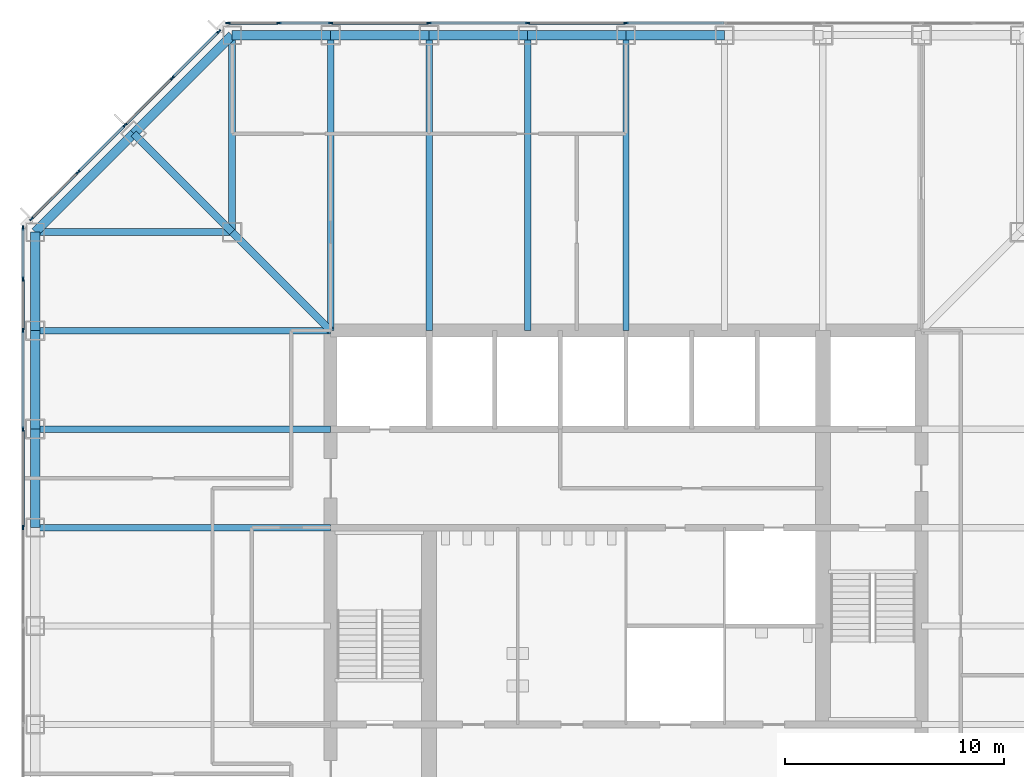
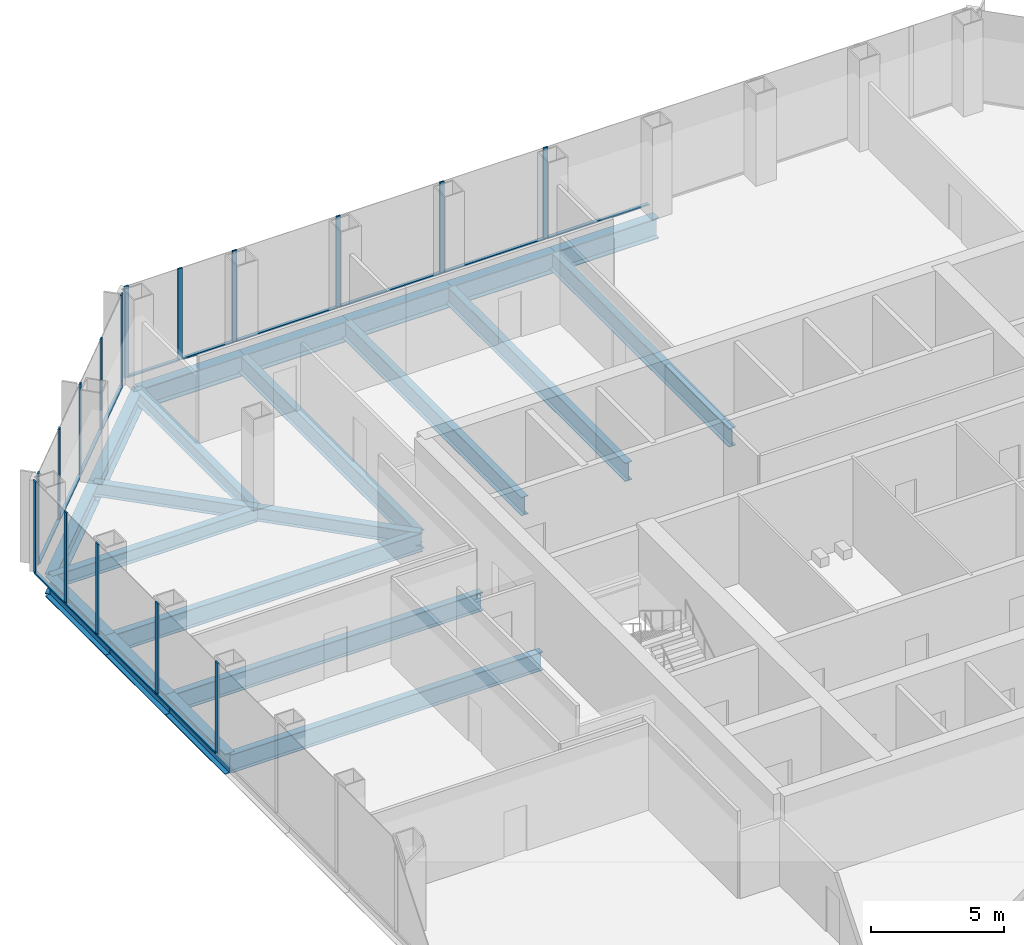
# One storey, part 5 of 12: 30 members, 21 beams, 3 elements without a shape of their own.
"""IFC4 building model written with IfcOpenShell, lengths in metres."""

from ifc_helpers import new_model, si_unit, direction, frame, origin, origin_2d, place, context, subcontext, project, spatial, rectangle, i_section, extrude, material, material_profile, profile_set, type_object, element, aggregate, save


model = new_model("IFC4")

# Units and contexts
model_context = context("Model", 3, precision=1e-05, world=origin(), true_north=direction((0.0, 1.0)))
body_context = subcontext(model_context, "Body", "Model", "MODEL_VIEW")
ifc_project = project(units=[si_unit("LENGTHUNIT", "METRE"), si_unit("AREAUNIT", "SQUARE_METRE"), si_unit("VOLUMEUNIT", "CUBIC_METRE"), si_unit("PLANEANGLEUNIT", "RADIAN"), si_unit("MASSUNIT", "GRAM", prefix="KILO")], contexts=[model_context])

# Site, building, storey
site_placement = place(None, origin())
site = spatial("IfcSite", under=ifc_project, at=site_placement, CompositionType="ELEMENT")
building_placement = place(site_placement, origin())
building = spatial("IfcBuilding", under=site, at=building_placement, Name="Corais Broadcast Tower", CompositionType="ELEMENT")
storey_placement = place(building_placement, frame((0.0, 0.0, 100.39990234375)))
storey = spatial("IfcBuildingStorey", under=building, at=storey_placement, Name="L22", CompositionType="ELEMENT", Elevation=100.39990234375)

# Beams
ifc_material_1 = material(Name="Steel ASTM A572 Grade 50", Category="steel")
ifc_material_profile_1 = material_profile(ifc_material_1, i_section(OverallWidth=0.323974609375, OverallDepth=0.611083984375, WebThickness=0.0126953125, FlangeThickness=0.01904296875, at=origin_2d()), Name="W610x155")
ifc_profile_set_1 = profile_set([ifc_material_profile_1], Name="Steel ASTM A572 Grade 50")
beam_type_1 = type_object("IfcBeamType", Name="Chamfer tie W610x155", PredefinedType="BEAM", material=ifc_profile_set_1)
beam_1_placement = place(storey_placement, frame((4.5, 49.5, -0.46533203125), z_axis=(0.707106781187, -0.707106781187, 0.0), x_axis=(0.707106781187, 0.707106781187, 0.0)))
element("IfcBeam", 1, at=beam_1_placement, inside=storey, type_object=beam_type_1, Name="B5 M/4 to L/5", PredefinedType="BEAM", context=body_context, shape_type="SweptSolid", body=[
    extrude(i_section(OverallWidth=0.323974609375, OverallDepth=0.611083984375, WebThickness=0.0126953125, FlangeThickness=0.01904296875, at=origin_2d()), origin(), (0.0, 0.0, 1.0), 6.364013671875),
])
ifc_material_2 = material(Name="Steel ASTM A572 Grade 50", Category="steel")
ifc_material_profile_2 = material_profile(ifc_material_2, i_section(OverallWidth=0.323974609375, OverallDepth=0.611083984375, WebThickness=0.0126953125, FlangeThickness=0.01904296875, at=origin_2d()), Name="W610x155")
ifc_profile_set_2 = profile_set([ifc_material_profile_2], Name="Steel ASTM A572 Grade 50")
beam_type_2 = type_object("IfcBeamType", Name="Corner diagonal W610x155", PredefinedType="BEAM", material=ifc_profile_set_2)
beam_2_placement = place(storey_placement, frame((9.0, 45.0, -0.46533203125), z_axis=(0.707106781187, -0.707106781187, 0.0), x_axis=(0.707106781187, 0.707106781187, 0.0)))
element("IfcBeam", 2, at=beam_2_placement, inside=storey, type_object=beam_type_2, Name="B6 L/5 to K/6", PredefinedType="BEAM", context=body_context, shape_type="SweptSolid", body=[
    extrude(i_section(OverallWidth=0.323974609375, OverallDepth=0.611083984375, WebThickness=0.0126953125, FlangeThickness=0.01904296875, at=origin_2d()), origin(), (0.0, 0.0, 1.0), 6.364013671875),
])
ifc_material_3 = material(Name="Steel ASTM A572 Grade 50", Category="steel")
ifc_material_profile_3 = material_profile(ifc_material_3, i_section(OverallWidth=0.323974609375, OverallDepth=0.611083984375, WebThickness=0.0126953125, FlangeThickness=0.01904296875, at=origin_2d()), Name="W610x155")
ifc_profile_set_3 = profile_set([ifc_material_profile_3], Name="Steel ASTM A572 Grade 50")
beam_type_3 = type_object("IfcBeamType", Name="Corner girder W610x155", PredefinedType="BEAM", material=ifc_profile_set_3)
for number, where, z_axis, x_axis, name in (
    (3, (0.0, 45.0, -0.46533203125), (1.0, 0.0, 0.0), (0.0, 1.0, 0.0), "B4 L/3 to L/5"),
    (4, (9.0, 54.0, -0.46533203125), (0.0, -1.0, 0.0), (1.0, 0.0, 0.0), "B4 N/5 to L/5"),
):
    element("IfcBeam", number, at=place(storey_placement, frame(where, z_axis=z_axis, x_axis=x_axis)), inside=storey, type_object=beam_type_3, Name=name, PredefinedType="BEAM", context=body_context, shape_type="SweptSolid", body=[
        extrude(i_section(OverallWidth=0.323974609375, OverallDepth=0.611083984375, WebThickness=0.0126953125, FlangeThickness=0.01904296875, at=origin_2d()), origin(), (0.0, 0.0, 1.0), 9.0),
    ])
ifc_material_4 = material(Name="Steel ASTM A572 Grade 50", Category="steel")
ifc_material_profile_4 = material_profile(ifc_material_4, i_section(OverallWidth=0.2939453125, OverallDepth=0.85107421875, WebThickness=0.01611328125, FlangeThickness=0.02685546875, at=origin_2d()), Name="W840x226")
ifc_profile_set_4 = profile_set([ifc_material_profile_4], Name="Steel ASTM A572 Grade 50")
beam_type_4 = type_object("IfcBeamType", Name="Floor beam W840x226", PredefinedType="BEAM", material=ifc_profile_set_4)
for number, where, z_axis, x_axis, name in (
    (5, (0.0, 31.5, -0.58544921875), (1.0, 0.0, 0.0), (0.0, 1.0, 0.0), "B1 H/3 to H/6"),
    (6, (0.0, 36.0, -0.58544921875), (1.0, 0.0, 0.0), (0.0, 1.0, 0.0), "B1 J/3 to J/6"),
    (7, (0.0, 40.5, -0.58544921875), (1.0, 0.0, 0.0), (0.0, 1.0, 0.0), "B1 K/3 to K/6"),
    (8, (13.5, 54.0, -0.58544921875), (0.0, -1.0, 0.0), (1.0, 0.0, 0.0), "B1 N/6 to K/6"),
    (9, (18.0, 54.0, -0.58544921875), (0.0, -1.0, 0.0), (1.0, 0.0, 0.0), "B1 N/7 to K/7"),
    (10, (22.5, 54.0, -0.58544921875), (0.0, -1.0, 0.0), (1.0, 0.0, 0.0), "B1 N/8 to K/8"),
    (11, (27.0, 54.0, -0.58544921875), (0.0, -1.0, 0.0), (1.0, 0.0, 0.0), "B1 N/9 to K/9"),
):
    element("IfcBeam", number, at=place(storey_placement, frame(where, z_axis=z_axis, x_axis=x_axis)), inside=storey, type_object=beam_type_4, Name=name, PredefinedType="BEAM", context=body_context, shape_type="SweptSolid", body=[
        extrude(i_section(OverallWidth=0.2939453125, OverallDepth=0.85107421875, WebThickness=0.01611328125, FlangeThickness=0.02685546875, at=origin_2d()), origin(), (0.0, 0.0, 1.0), 13.5),
    ])

# Curtain wall, members
ifc_material_5 = material(Name="Aluminium and glass", Category="aluminium")
curtain_wall_type = type_object("IfcCurtainWallType", Name="Unitised fritted curtain wall CW1", PredefinedType="NOTDEFINED", material=ifc_material_5)
curtain_wall_1_placement = place(storey_placement, origin())
curtain_wall_1 = element("IfcCurtainWall", 12, at=curtain_wall_1_placement, inside=storey, type_object=curtain_wall_type, Name="CW1 curtain wall L22 2", PredefinedType="NOTDEFINED")
ifc_material_6 = material(Name="Aluminium 6063-T6", Category="aluminium")
ifc_material_profile_5 = material_profile(ifc_material_6, rectangle(XDim=0.06494140625, YDim=0.199951171875, at=origin_2d()), Name="Mullion CW1 65x200")
ifc_profile_set_5 = profile_set([ifc_material_profile_5], Name="Aluminium 6063-T6")
member_type_1 = type_object("IfcMemberType", Name="Mullion CW1 65x200", PredefinedType="MULLION", material=ifc_profile_set_5)
member_1_placement = place(storey_placement, frame((-0.550048828125, 31.5, 0.0), z_axis=(0.0, 0.0, 1.0), x_axis=(-1.0, 0.0, 0.0)))
member_1 = element("IfcMember", 13, at=member_1_placement, type_object=member_type_1, Name="CW1 mullion 7", PredefinedType="MULLION", context=body_context, shape_type="SweptSolid", body=[
    extrude(rectangle(XDim=0.06494140625, YDim=0.199951171875, at=origin_2d()), origin(), (0.0, 0.0, 1.0), 4.2001953125),
])
member_2_placement = place(storey_placement, frame((-0.550048828125, 36.0, 0.0), z_axis=(0.0, 0.0, 1.0), x_axis=(-1.0, 0.0, 0.0)))
member_2 = element("IfcMember", 14, at=member_2_placement, type_object=member_type_1, Name="CW1 mullion 8", PredefinedType="MULLION", context=body_context, shape_type="SweptSolid", body=[
    extrude(rectangle(XDim=0.06494140625, YDim=0.199951171875, at=origin_2d()), origin(), (0.0, 0.0, 1.0), 4.2001953125),
])
member_3_placement = place(storey_placement, frame((-0.550048828125, 40.5, 0.0), z_axis=(0.0, 0.0, 1.0), x_axis=(-1.0, 0.0, 0.0)))
member_3 = element("IfcMember", 15, at=member_3_placement, type_object=member_type_1, Name="CW1 mullion 9", PredefinedType="MULLION", context=body_context, shape_type="SweptSolid", body=[
    extrude(rectangle(XDim=0.06494140625, YDim=0.199951171875, at=origin_2d()), origin(), (0.0, 0.0, 1.0), 4.2001953125),
])
member_4_placement = place(storey_placement, frame((-0.550048828125, 42.864013671875, 0.0), z_axis=(0.0, 0.0, 1.0), x_axis=(-1.0, 0.0, 0.0)))
member_4 = element("IfcMember", 16, at=member_4_placement, type_object=member_type_1, Name="CW1 mullion 10", PredefinedType="MULLION", context=body_context, shape_type="SweptSolid", body=[
    extrude(rectangle(XDim=0.06494140625, YDim=0.199951171875, at=origin_2d()), origin(), (0.0, 0.0, 1.0), 4.2001953125),
])
member_5_placement = place(storey_placement, frame((-0.550048828125, 45.1953125, 0.0), z_axis=(0.0, 0.0, 1.0), x_axis=(-1.0, 0.0, 0.0)))
member_5 = element("IfcMember", 17, at=member_5_placement, type_object=member_type_1, Name="CW1 mullion 11", PredefinedType="MULLION", context=body_context, shape_type="SweptSolid", body=[
    extrude(rectangle(XDim=0.06494140625, YDim=0.199951171875, at=origin_2d()), origin(), (0.0, 0.0, 1.0), 4.2001953125),
])

curtain_wall_2_placement = place(storey_placement, origin())
curtain_wall_2 = element("IfcCurtainWall", 18, at=curtain_wall_2_placement, inside=storey, type_object=curtain_wall_type, Name="CW1 curtain wall L22 3", PredefinedType="NOTDEFINED")
member_6_placement = place(storey_placement, frame((-0.17333984375, 45.6044921875, 0.0), z_axis=(0.0, 0.0, 1.0), x_axis=(-0.707106781187, 0.707106781187, 0.0)))
member_6 = element("IfcMember", 19, at=member_6_placement, type_object=member_type_1, Name="CW1 mullion 1", PredefinedType="MULLION", context=body_context, shape_type="SweptSolid", body=[
    extrude(rectangle(XDim=0.06494140625, YDim=0.199951171875, at=origin_2d()), origin(), (0.0, 0.0, 1.0), 4.2001953125),
])
member_7_placement = place(storey_placement, frame((1.957275390625, 47.735107421875, 0.0), z_axis=(0.0, 0.0, 1.0), x_axis=(-0.707106781187, 0.707106781187, 0.0)))
member_7 = element("IfcMember", 20, at=member_7_placement, type_object=member_type_1, Name="CW1 mullion 2", PredefinedType="MULLION", context=body_context, shape_type="SweptSolid", body=[
    extrude(rectangle(XDim=0.06494140625, YDim=0.199951171875, at=origin_2d()), origin(), (0.0, 0.0, 1.0), 4.2001953125),
])
member_8_placement = place(storey_placement, frame((4.111083984375, 49.888916015625, 0.0), z_axis=(0.0, 0.0, 1.0), x_axis=(-0.707106781187, 0.707106781187, 0.0)))
member_8 = element("IfcMember", 21, at=member_8_placement, type_object=member_type_1, Name="CW1 mullion 3", PredefinedType="MULLION", context=body_context, shape_type="SweptSolid", body=[
    extrude(rectangle(XDim=0.06494140625, YDim=0.199951171875, at=origin_2d()), origin(), (0.0, 0.0, 1.0), 4.2001953125),
])
member_9_placement = place(storey_placement, frame((6.264892578125, 52.042724609375, 0.0), z_axis=(0.0, 0.0, 1.0), x_axis=(-0.707106781187, 0.707106781187, 0.0)))
member_9 = element("IfcMember", 22, at=member_9_placement, type_object=member_type_1, Name="CW1 mullion 4", PredefinedType="MULLION", context=body_context, shape_type="SweptSolid", body=[
    extrude(rectangle(XDim=0.06494140625, YDim=0.199951171875, at=origin_2d()), origin(), (0.0, 0.0, 1.0), 4.2001953125),
])
member_10_placement = place(storey_placement, frame((8.3955078125, 54.17333984375, 0.0), z_axis=(0.0, 0.0, 1.0), x_axis=(-0.707106781187, 0.707106781187, 0.0)))
member_10 = element("IfcMember", 23, at=member_10_placement, type_object=member_type_1, Name="CW1 mullion 5", PredefinedType="MULLION", context=body_context, shape_type="SweptSolid", body=[
    extrude(rectangle(XDim=0.06494140625, YDim=0.199951171875, at=origin_2d()), origin(), (0.0, 0.0, 1.0), 4.2001953125),
])

curtain_wall_3_placement = place(storey_placement, origin())
curtain_wall_3 = element("IfcCurtainWall", 24, at=curtain_wall_3_placement, inside=storey, type_object=curtain_wall_type, Name="CW1 curtain wall L22 4", PredefinedType="NOTDEFINED")
member_11_placement = place(storey_placement, frame((8.8046875, 54.550048828125, 0.0), z_axis=(0.0, 0.0, 1.0), x_axis=(0.0, 1.0, 0.0)))
member_11 = element("IfcMember", 25, at=member_11_placement, type_object=member_type_1, Name="CW1 mullion 1", PredefinedType="MULLION", context=body_context, shape_type="SweptSolid", body=[
    extrude(rectangle(XDim=0.06494140625, YDim=0.199951171875, at=origin_2d()), origin(), (0.0, 0.0, 1.0), 4.2001953125),
])
member_12_placement = place(storey_placement, frame((11.135986328125, 54.550048828125, 0.0), z_axis=(0.0, 0.0, 1.0), x_axis=(0.0, 1.0, 0.0)))
member_12 = element("IfcMember", 26, at=member_12_placement, type_object=member_type_1, Name="CW1 mullion 2", PredefinedType="MULLION", context=body_context, shape_type="SweptSolid", body=[
    extrude(rectangle(XDim=0.06494140625, YDim=0.199951171875, at=origin_2d()), origin(), (0.0, 0.0, 1.0), 4.2001953125),
])
member_13_placement = place(storey_placement, frame((13.5, 54.550048828125, 0.0), z_axis=(0.0, 0.0, 1.0), x_axis=(0.0, 1.0, 0.0)))
member_13 = element("IfcMember", 27, at=member_13_placement, type_object=member_type_1, Name="CW1 mullion 3", PredefinedType="MULLION", context=body_context, shape_type="SweptSolid", body=[
    extrude(rectangle(XDim=0.06494140625, YDim=0.199951171875, at=origin_2d()), origin(), (0.0, 0.0, 1.0), 4.2001953125),
])
member_14_placement = place(storey_placement, frame((18.0, 54.550048828125, 0.0), z_axis=(0.0, 0.0, 1.0), x_axis=(0.0, 1.0, 0.0)))
member_14 = element("IfcMember", 28, at=member_14_placement, type_object=member_type_1, Name="CW1 mullion 4", PredefinedType="MULLION", context=body_context, shape_type="SweptSolid", body=[
    extrude(rectangle(XDim=0.06494140625, YDim=0.199951171875, at=origin_2d()), origin(), (0.0, 0.0, 1.0), 4.2001953125),
])
member_15_placement = place(storey_placement, frame((22.5, 54.550048828125, 0.0), z_axis=(0.0, 0.0, 1.0), x_axis=(0.0, 1.0, 0.0)))
member_15 = element("IfcMember", 29, at=member_15_placement, type_object=member_type_1, Name="CW1 mullion 5", PredefinedType="MULLION", context=body_context, shape_type="SweptSolid", body=[
    extrude(rectangle(XDim=0.06494140625, YDim=0.199951171875, at=origin_2d()), origin(), (0.0, 0.0, 1.0), 4.2001953125),
])
member_16_placement = place(storey_placement, frame((27.0, 54.550048828125, 0.0), z_axis=(0.0, 0.0, 1.0), x_axis=(0.0, 1.0, 0.0)))
member_16 = element("IfcMember", 30, at=member_16_placement, type_object=member_type_1, Name="CW1 mullion 6", PredefinedType="MULLION", context=body_context, shape_type="SweptSolid", body=[
    extrude(rectangle(XDim=0.06494140625, YDim=0.199951171875, at=origin_2d()), origin(), (0.0, 0.0, 1.0), 4.2001953125),
])

# Beams
ifc_material_7 = material(Name="Steel ASTM A572 Grade 50", Category="steel")
ifc_material_profile_6 = material_profile(ifc_material_7, i_section(OverallWidth=0.4189453125, OverallDepth=0.94189453125, WebThickness=0.022216796875, FlangeThickness=0.03662109375, at=origin_2d()), Name="W920x345")
ifc_profile_set_6 = profile_set([ifc_material_profile_6], Name="Steel ASTM A572 Grade 50")
beam_type_5 = type_object("IfcBeamType", Name="Transfer spandrel W920x345", PredefinedType="BEAM", material=ifc_profile_set_6)
for number, where, z_axis, x_axis, name in (
    (31, (0.0, 36.0, -0.630859375), (0.0, -1.0, 0.0), (1.0, 0.0, 0.0), "SB4 J/3 to H/3"),
    (32, (0.0, 40.5, -0.630859375), (0.0, -1.0, 0.0), (1.0, 0.0, 0.0), "SB4 K/3 to J/3"),
    (33, (0.0, 45.0, -0.630859375), (0.0, -1.0, 0.0), (1.0, 0.0, 0.0), "SB4 L/3 to K/3"),
    (34, (13.5, 54.0, -0.630859375), (-1.0, 0.0, 0.0), (0.0, -1.0, 0.0), "SB4 N/6 to N/5"),
    (35, (18.0, 54.0, -0.630859375), (-1.0, 0.0, 0.0), (0.0, -1.0, 0.0), "SB4 N/7 to N/6"),
    (36, (22.5, 54.0, -0.630859375), (-1.0, 0.0, 0.0), (0.0, -1.0, 0.0), "SB4 N/8 to N/7"),
    (37, (27.0, 54.0, -0.630859375), (-1.0, 0.0, 0.0), (0.0, -1.0, 0.0), "SB4 N/9 to N/8"),
    (38, (31.5, 54.0, -0.630859375), (-1.0, 0.0, 0.0), (0.0, -1.0, 0.0), "SB4 N/10 to N/9"),
):
    element("IfcBeam", number, at=place(storey_placement, frame(where, z_axis=z_axis, x_axis=x_axis)), inside=storey, type_object=beam_type_5, Name=name, PredefinedType="BEAM", context=body_context, shape_type="SweptSolid", body=[
        extrude(i_section(OverallWidth=0.4189453125, OverallDepth=0.94189453125, WebThickness=0.022216796875, FlangeThickness=0.03662109375, at=origin_2d()), origin(), (0.0, 0.0, 1.0), 4.5),
    ])
for number, where, z_axis, x_axis, name in (
    (39, (4.5, 49.5, -0.630859375), (-0.707106781187, -0.707106781187, 0.0), (0.707106781187, -0.707106781187, 0.0), "SB4 M/4 to L/3"),
    (40, (9.0, 54.0, -0.630859375), (-0.707106781187, -0.707106781187, 0.0), (0.707106781187, -0.707106781187, 0.0), "SB4 N/5 to M/4"),
):
    element("IfcBeam", number, at=place(storey_placement, frame(where, z_axis=z_axis, x_axis=x_axis)), inside=storey, type_object=beam_type_5, Name=name, PredefinedType="BEAM", context=body_context, shape_type="SweptSolid", body=[
        extrude(i_section(OverallWidth=0.4189453125, OverallDepth=0.94189453125, WebThickness=0.022216796875, FlangeThickness=0.03662109375, at=origin_2d()), origin(), (0.0, 0.0, 1.0), 6.364013671875),
    ])

# Member
ifc_material_8 = material(Name="Aluminium 6063-T6", Category="aluminium")
ifc_material_profile_7 = material_profile(ifc_material_8, rectangle(XDim=0.139892578125, YDim=0.06494140625, at=origin_2d()), Name="Transom CW1 65x140")
ifc_profile_set_7 = profile_set([ifc_material_profile_7], Name="Aluminium 6063-T6")
member_type_2 = type_object("IfcMemberType", Name="Transom CW1 65x140", PredefinedType="USERDEFINED", material=ifc_profile_set_7)
member_17_placement = place(storey_placement, frame((-0.550048828125, 31.532470703125, 0.03271484375), z_axis=(0.0, 1.0, 0.0), x_axis=(-1.0, 0.0, 0.0)))
member_17 = element("IfcMember", 41, at=member_17_placement, type_object=member_type_2, Name="CW1 transom 7.1", ObjectType="TRANSOM", PredefinedType="USERDEFINED", context=body_context, shape_type="SweptSolid", body=[
    extrude(rectangle(XDim=0.139892578125, YDim=0.06494140625, at=origin_2d()), origin(), (0.0, 0.0, 1.0), 4.43505859375),
])

member_18_placement = place(storey_placement, frame((-0.550048828125, 36.032470703125, 0.03271484375), z_axis=(0.0, 1.0, 0.0), x_axis=(-1.0, 0.0, 0.0)))
member_18 = element("IfcMember", 42, at=member_18_placement, type_object=member_type_2, Name="CW1 transom 8.1", ObjectType="TRANSOM", PredefinedType="USERDEFINED", context=body_context, shape_type="SweptSolid", body=[
    extrude(rectangle(XDim=0.139892578125, YDim=0.06494140625, at=origin_2d()), origin(), (0.0, 0.0, 1.0), 4.43505859375),
])

member_19_placement = place(storey_placement, frame((-0.550048828125, 40.532470703125, 0.03271484375), z_axis=(0.0, 1.0, 0.0), x_axis=(-1.0, 0.0, 0.0)))
member_19 = element("IfcMember", 43, at=member_19_placement, type_object=member_type_2, Name="CW1 transom 9.1", ObjectType="TRANSOM", PredefinedType="USERDEFINED", context=body_context, shape_type="SweptSolid", body=[
    extrude(rectangle(XDim=0.139892578125, YDim=0.06494140625, at=origin_2d()), origin(), (0.0, 0.0, 1.0), 2.298828125),
])

member_20_placement = place(storey_placement, frame((-0.550048828125, 42.896484375, 0.03271484375), z_axis=(0.0, 1.0, 0.0), x_axis=(-1.0, 0.0, 0.0)))
member_20 = element("IfcMember", 44, at=member_20_placement, type_object=member_type_2, Name="CW1 transom 10.1", ObjectType="TRANSOM", PredefinedType="USERDEFINED", context=body_context, shape_type="SweptSolid", body=[
    extrude(rectangle(XDim=0.139892578125, YDim=0.06494140625, at=origin_2d()), origin(), (0.0, 0.0, 1.0), 2.266357421875),
])

aggregate(curtain_wall_1, [member_1, member_2, member_3, member_4, member_5, member_17, member_18, member_19, member_20])

member_21_placement = place(storey_placement, frame((-0.150390625, 45.62744140625, 0.03271484375), z_axis=(0.707106781187, 0.707106781187, 0.0), x_axis=(-0.707106781187, 0.707106781187, 0.0)))
member_21 = element("IfcMember", 45, at=member_21_placement, type_object=member_type_2, Name="CW1 transom 1.1", ObjectType="TRANSOM", PredefinedType="USERDEFINED", context=body_context, shape_type="SweptSolid", body=[
    extrude(rectangle(XDim=0.139892578125, YDim=0.06494140625, at=origin_2d()), origin(), (0.0, 0.0, 1.0), 2.9482421875),
])

member_22_placement = place(storey_placement, frame((1.980224609375, 47.758056640625, 0.03271484375), z_axis=(0.707106781187, 0.707106781187, 0.0), x_axis=(-0.707106781187, 0.707106781187, 0.0)))
member_22 = element("IfcMember", 46, at=member_22_placement, type_object=member_type_2, Name="CW1 transom 2.1", ObjectType="TRANSOM", PredefinedType="USERDEFINED", context=body_context, shape_type="SweptSolid", body=[
    extrude(rectangle(XDim=0.139892578125, YDim=0.06494140625, at=origin_2d()), origin(), (0.0, 0.0, 1.0), 2.98095703125),
])

member_23_placement = place(storey_placement, frame((4.134033203125, 49.911865234375, 0.03271484375), z_axis=(0.707106781187, 0.707106781187, 0.0), x_axis=(-0.707106781187, 0.707106781187, 0.0)))
member_23 = element("IfcMember", 47, at=member_23_placement, type_object=member_type_2, Name="CW1 transom 3.1", ObjectType="TRANSOM", PredefinedType="USERDEFINED", context=body_context, shape_type="SweptSolid", body=[
    extrude(rectangle(XDim=0.139892578125, YDim=0.06494140625, at=origin_2d()), origin(), (0.0, 0.0, 1.0), 2.98095703125),
])

member_24_placement = place(storey_placement, frame((6.287841796875, 52.065673828125, 0.03271484375), z_axis=(0.707106781187, 0.707106781187, 0.0), x_axis=(-0.707106781187, 0.707106781187, 0.0)))
member_24 = element("IfcMember", 48, at=member_24_placement, type_object=member_type_2, Name="CW1 transom 4.1", ObjectType="TRANSOM", PredefinedType="USERDEFINED", context=body_context, shape_type="SweptSolid", body=[
    extrude(rectangle(XDim=0.139892578125, YDim=0.06494140625, at=origin_2d()), origin(), (0.0, 0.0, 1.0), 2.9482421875),
])

aggregate(curtain_wall_2, [member_6, member_7, member_8, member_9, member_10, member_21, member_22, member_23, member_24])

member_25_placement = place(storey_placement, frame((8.837158203125, 54.550048828125, 0.03271484375), z_axis=(1.0, 0.0, 0.0), x_axis=(0.0, 1.0, 0.0)))
member_25 = element("IfcMember", 49, at=member_25_placement, type_object=member_type_2, Name="CW1 transom 1.1", ObjectType="TRANSOM", PredefinedType="USERDEFINED", context=body_context, shape_type="SweptSolid", body=[
    extrude(rectangle(XDim=0.139892578125, YDim=0.06494140625, at=origin_2d()), origin(), (0.0, 0.0, 1.0), 2.266357421875),
])

member_26_placement = place(storey_placement, frame((11.168701171875, 54.550048828125, 0.03271484375), z_axis=(1.0, 0.0, 0.0), x_axis=(0.0, 1.0, 0.0)))
member_26 = element("IfcMember", 50, at=member_26_placement, type_object=member_type_2, Name="CW1 transom 2.1", ObjectType="TRANSOM", PredefinedType="USERDEFINED", context=body_context, shape_type="SweptSolid", body=[
    extrude(rectangle(XDim=0.139892578125, YDim=0.06494140625, at=origin_2d()), origin(), (0.0, 0.0, 1.0), 2.298828125),
])

member_27_placement = place(storey_placement, frame((13.532470703125, 54.550048828125, 0.03271484375), z_axis=(1.0, 0.0, 0.0), x_axis=(0.0, 1.0, 0.0)))
member_27 = element("IfcMember", 51, at=member_27_placement, type_object=member_type_2, Name="CW1 transom 3.1", ObjectType="TRANSOM", PredefinedType="USERDEFINED", context=body_context, shape_type="SweptSolid", body=[
    extrude(rectangle(XDim=0.139892578125, YDim=0.06494140625, at=origin_2d()), origin(), (0.0, 0.0, 1.0), 4.43505859375),
])

member_28_placement = place(storey_placement, frame((18.032470703125, 54.550048828125, 0.03271484375), z_axis=(1.0, 0.0, 0.0), x_axis=(0.0, 1.0, 0.0)))
member_28 = element("IfcMember", 52, at=member_28_placement, type_object=member_type_2, Name="CW1 transom 4.1", ObjectType="TRANSOM", PredefinedType="USERDEFINED", context=body_context, shape_type="SweptSolid", body=[
    extrude(rectangle(XDim=0.139892578125, YDim=0.06494140625, at=origin_2d()), origin(), (0.0, 0.0, 1.0), 4.43505859375),
])

member_29_placement = place(storey_placement, frame((22.532470703125, 54.550048828125, 0.03271484375), z_axis=(1.0, 0.0, 0.0), x_axis=(0.0, 1.0, 0.0)))
member_29 = element("IfcMember", 53, at=member_29_placement, type_object=member_type_2, Name="CW1 transom 5.1", ObjectType="TRANSOM", PredefinedType="USERDEFINED", context=body_context, shape_type="SweptSolid", body=[
    extrude(rectangle(XDim=0.139892578125, YDim=0.06494140625, at=origin_2d()), origin(), (0.0, 0.0, 1.0), 4.43505859375),
])

member_30_placement = place(storey_placement, frame((27.032470703125, 54.550048828125, 0.03271484375), z_axis=(1.0, 0.0, 0.0), x_axis=(0.0, 1.0, 0.0)))
member_30 = element("IfcMember", 54, at=member_30_placement, type_object=member_type_2, Name="CW1 transom 6.1", ObjectType="TRANSOM", PredefinedType="USERDEFINED", context=body_context, shape_type="SweptSolid", body=[
    extrude(rectangle(XDim=0.139892578125, YDim=0.06494140625, at=origin_2d()), origin(), (0.0, 0.0, 1.0), 4.43505859375),
])

aggregate(curtain_wall_3, [member_11, member_12, member_13, member_14, member_15, member_16, member_25, member_26, member_27, member_28, member_29, member_30])

save(model, "model.ifc")
